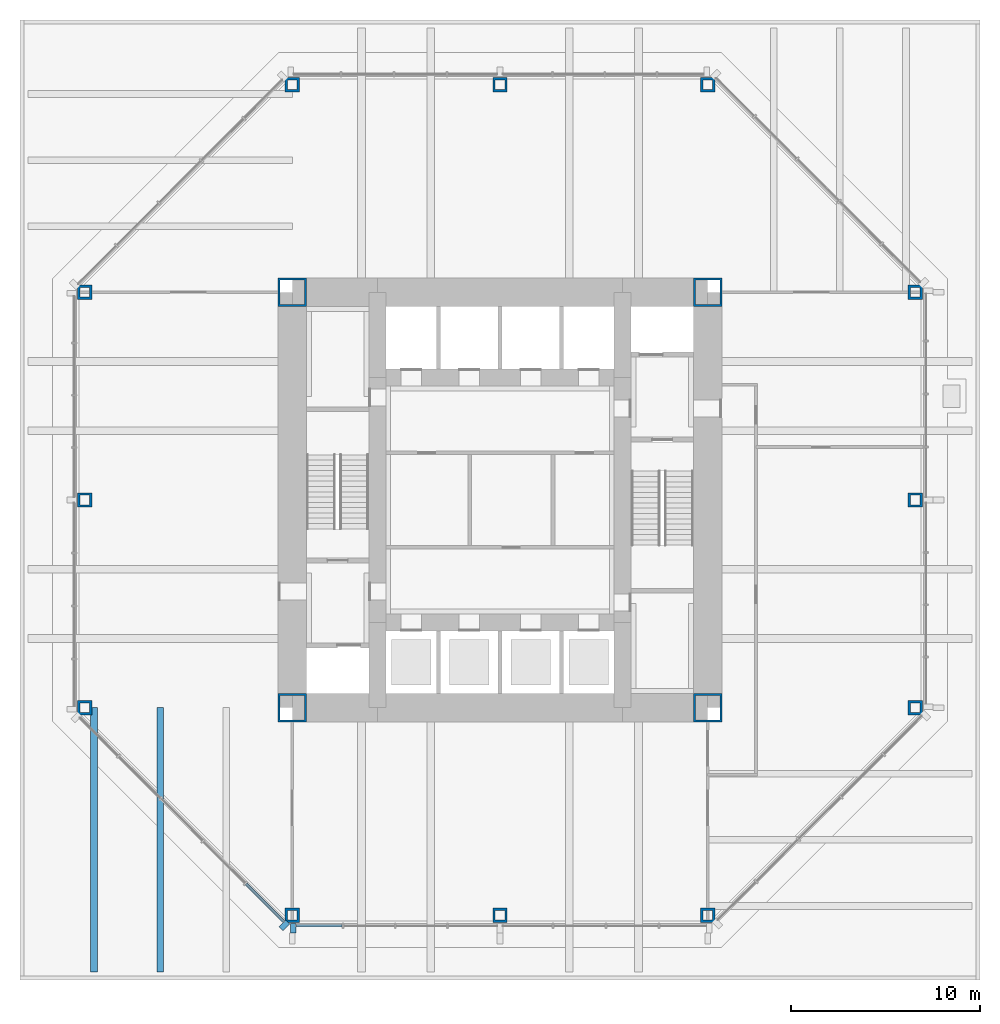
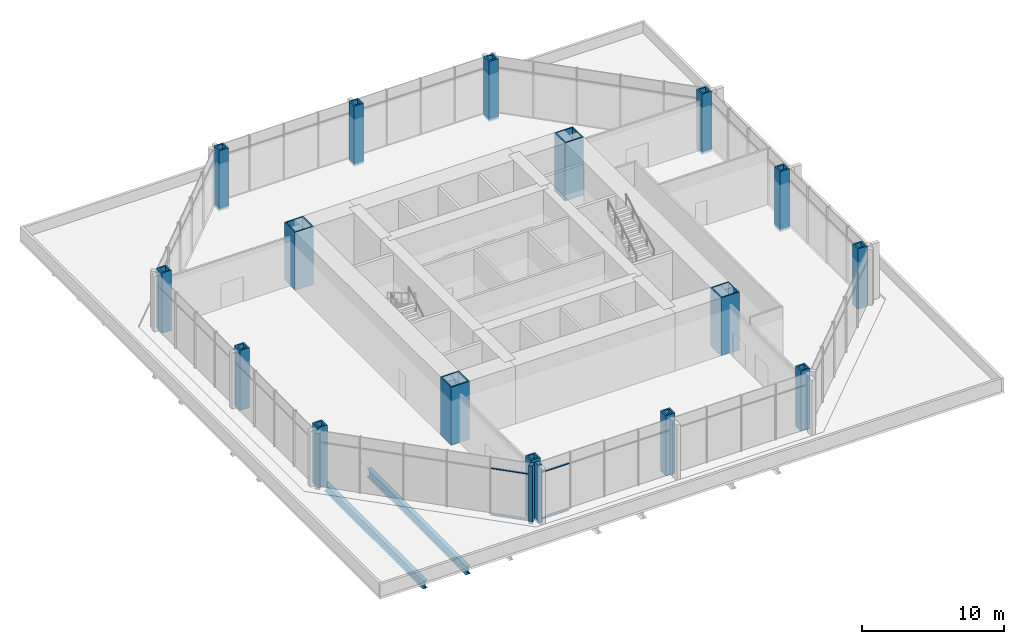
# One storey, part 1 of 11: 16 columns, 6 members, 2 beams, 2 elements without a shape of their own.
"""IFC4 building model written with IfcOpenShell, lengths in metres."""

from ifc_helpers import new_model, si_unit, direction, frame, origin, origin_2d, place, context, subcontext, project, spatial, rectangle, hollow_rectangle, i_section, extrude, material, material_profile, profile_set, type_object, element, aggregate, save


model = new_model("IFC4")

# Units and contexts
model_context = context("Model", 3, precision=1e-05, world=origin(), true_north=direction((0.0, 1.0)))
body_context = subcontext(model_context, "Body", "Model", "MODEL_VIEW")
ifc_project = project(units=[si_unit("LENGTHUNIT", "METRE"), si_unit("AREAUNIT", "SQUARE_METRE"), si_unit("VOLUMEUNIT", "CUBIC_METRE"), si_unit("PLANEANGLEUNIT", "RADIAN"), si_unit("MASSUNIT", "GRAM", prefix="KILO")], contexts=[model_context])

# Site, building, storey
site_placement = place(None, origin())
site = spatial("IfcSite", under=ifc_project, at=site_placement, CompositionType="ELEMENT")
building_placement = place(site_placement, origin())
building = spatial("IfcBuilding", under=site, at=building_placement, Name="Trevanion Tower", CompositionType="ELEMENT")
storey_placement = place(building_placement, frame((0.0, 0.0, 95.800048828125)))
storey = spatial("IfcBuildingStorey", under=building, at=storey_placement, Name="L22", CompositionType="ELEMENT", Elevation=95.800048828125)

# Columns
ifc_material_1 = material(Name="Steel ASTM A588 Grade 50", Category="steel")
ifc_material_profile_1 = material_profile(ifc_material_1, hollow_rectangle(XDim=0.761962890625, YDim=0.761962890625, WallThickness=0.126953125, at=origin_2d()), Name="BOX30X30X5")
ifc_profile_set_1 = profile_set([ifc_material_profile_1], Name="Steel ASTM A588 Grade 50")
column_type_1 = type_object("IfcColumnType", Name="C4 BOX30X30X5", PredefinedType="COLUMN", material=ifc_profile_set_1)
for number, where, z_axis, x_axis, name in (
    (1, (-22.0, 0.0, -0.18994140625), (0.0, 0.0, 1.0), (0.0, 1.0, 0.0), "C4 4/H L22"),
    (2, (-22.0, -11.0, -0.18994140625), (0.0, 0.0, 1.0), (0.0, 1.0, 0.0), "C4 4/F L22"),
    (3, (-11.0, -22.0, -0.18994140625), (0.0, 0.0, 1.0), (1.0, 0.0, 0.0), "C4 8/B L22"),
    (4, (0.0, -22.0, -0.18994140625), (0.0, 0.0, 1.0), (1.0, 0.0, 0.0), "C4 10/B L22"),
    (5, (11.0, -22.0, -0.18994140625), (0.0, 0.0, 1.0), (1.0, 0.0, 0.0), "C4 12/B L22"),
    (6, (22.0, -11.0, -0.18994140625), (0.0, 0.0, 1.0), (0.0, 1.0, 0.0), "C4 16/F L22"),
    (7, (22.0, 0.0, -0.18994140625), (0.0, 0.0, 1.0), (0.0, 1.0, 0.0), "C4 16/H L22"),
    (8, (22.0, 11.0, -0.18994140625), (0.0, 0.0, 1.0), (0.0, 1.0, 0.0), "C4 16/K L22"),
    (9, (11.0, 22.0, -0.18994140625), (0.0, 0.0, 1.0), (1.0, 0.0, 0.0), "C4 12/P L22"),
    (10, (0.0, 22.0, -0.18994140625), (0.0, 0.0, 1.0), (1.0, 0.0, 0.0), "C4 10/P L22"),
    (11, (-11.0, 22.0, -0.18994140625), (0.0, 0.0, 1.0), (1.0, 0.0, 0.0), "C4 8/P L22"),
    (12, (-22.0, 11.0, -0.18994140625), (0.0, 0.0, 1.0), (0.0, 1.0, 0.0), "C4 4/K L22"),
):
    element("IfcColumn", number, at=place(storey_placement, frame(where, z_axis=z_axis, x_axis=x_axis)), inside=storey, type_object=column_type_1, Name=name, PredefinedType="COLUMN", context=body_context, shape_type="SweptSolid", body=[
        extrude(hollow_rectangle(XDim=0.761962890625, YDim=0.761962890625, WallThickness=0.126953125, at=origin_2d()), origin(), (0.0, 0.0, 1.0), 5.18994140625),
    ])
ifc_material_2 = material(Name="Steel ASTM A572 Grade 50", Category="steel")
ifc_material_profile_2 = material_profile(ifc_material_2, hollow_rectangle(XDim=1.49853515625, YDim=1.49853515625, WallThickness=0.1015625, at=origin_2d()), Name="BOX59X59X4")
ifc_profile_set_2 = profile_set([ifc_material_profile_2], Name="Steel ASTM A572 Grade 50")
column_type_2 = type_object("IfcColumnType", Name="CB1 BOX59X59X4", PredefinedType="COLUMN", material=ifc_profile_set_2)
for number, where, z_axis, x_axis, name in (
    (13, (11.0, 11.0, 0.0), (0.0, 0.0, 1.0), (1.0, 0.0, 0.0), "CB1 NE L22"),
    (14, (-11.0, 11.0, 0.0), (0.0, 0.0, 1.0), (1.0, 0.0, 0.0), "CB1 NW L22"),
    (15, (-11.0, -11.0, 0.0), (0.0, 0.0, 1.0), (1.0, 0.0, 0.0), "CB1 SW L22"),
    (16, (11.0, -11.0, 0.0), (0.0, 0.0, 1.0), (1.0, 0.0, 0.0), "CB1 SE L22"),
):
    element("IfcColumn", number, at=place(storey_placement, frame(where, z_axis=z_axis, x_axis=x_axis)), inside=storey, type_object=column_type_2, Name=name, PredefinedType="COLUMN", context=body_context, shape_type="SweptSolid", body=[
        extrude(hollow_rectangle(XDim=1.49853515625, YDim=1.49853515625, WallThickness=0.1015625, at=origin_2d()), origin(), (0.0, 0.0, 1.0), 5.0),
    ])

# Beams
ifc_material_3 = material(Name="Steel ASTM A992 Grade 50", Category="steel")
ifc_material_profile_3 = material_profile(ifc_material_3, i_section(OverallWidth=0.355712890625, OverallDepth=0.696044921875, WebThickness=0.015380859375, FlangeThickness=0.024658203125, at=origin_2d()), Name="W27X146")
ifc_profile_set_3 = profile_set([ifc_material_profile_3], Name="Steel ASTM A992 Grade 50")
beam_type = type_object("IfcBeamType", Name="B6 W27X146", PredefinedType="BEAM", material=ifc_profile_set_3)
for number, where, z_axis, x_axis, name in (
    (17, (-18.0, -11.0, -0.5380859375), (0.0, -1.0, 0.0), (1.0, 0.0, 0.0), "B6 L22"),
    (18, (-21.5, -11.0, -0.5380859375), (0.0, -1.0, 0.0), (1.0, 0.0, 0.0), "B6 L22"),
):
    element("IfcBeam", number, at=place(storey_placement, frame(where, z_axis=z_axis, x_axis=x_axis)), inside=storey, type_object=beam_type, Name=name, PredefinedType="BEAM", context=body_context, shape_type="SweptSolid", body=[
        extrude(i_section(OverallWidth=0.355712890625, OverallDepth=0.696044921875, WebThickness=0.015380859375, FlangeThickness=0.024658203125, at=origin_2d()), origin(), (0.0, 0.0, 1.0), 14.0),
    ])

# Curtain wall, member
ifc_material_4 = material(Name="Aluminium and glass", Category="aluminium")
curtain_wall_type = type_object("IfcCurtainWallType", Name="CW2 curtain wall", PredefinedType="USERDEFINED", material=ifc_material_4)
curtain_wall_1_placement = place(storey_placement, origin())
curtain_wall_1 = element("IfcCurtainWall", 19, at=curtain_wall_1_placement, inside=storey, type_object=curtain_wall_type, Name="CW2 L22 5", ObjectType="UNITISED CURTAIN WALL", PredefinedType="USERDEFINED")
ifc_material_5 = material(Name="Aluminium extrusion, anodised bronze", Category="aluminium")
ifc_material_profile_4 = material_profile(ifc_material_5, rectangle(XDim=0.300048828125, YDim=0.5, at=origin_2d()), Name="CW2 pier mullion")
ifc_profile_set_4 = profile_set([ifc_material_profile_4], Name="Aluminium extrusion, anodised bronze")
member_type_1 = type_object("IfcMemberType", Name="CW2 pier mullion", PredefinedType="MULLION", material=ifc_profile_set_4)
member_1_placement = place(storey_placement, frame((-11.42236328125, -22.5322265625, -0.18994140625), z_axis=(0.0, 0.0, 1.0), x_axis=(0.707106781187, -0.707106781187, 0.0)))
member_1 = element("IfcMember", 20, at=member_1_placement, type_object=member_type_1, Name="CW2 pier mullion 6", PredefinedType="MULLION", context=body_context, shape_type="SweptSolid", body=[
    extrude(rectangle(XDim=0.300048828125, YDim=0.5, at=origin_2d()), origin(), (0.0, 0.0, 1.0), 5.0),
])

curtain_wall_2_placement = place(storey_placement, origin())
curtain_wall_2 = element("IfcCurtainWall", 21, at=curtain_wall_2_placement, inside=storey, type_object=curtain_wall_type, Name="CW2 L22 6", ObjectType="UNITISED CURTAIN WALL", PredefinedType="USERDEFINED")
member_2_placement = place(storey_placement, frame((-10.94775390625, -22.675048828125, -0.18994140625), z_axis=(0.0, 0.0, 1.0), x_axis=(1.0, 0.0, 0.0)))
member_2 = element("IfcMember", 22, at=member_2_placement, type_object=member_type_1, Name="CW2 pier mullion 1", PredefinedType="MULLION", context=body_context, shape_type="SweptSolid", body=[
    extrude(rectangle(XDim=0.300048828125, YDim=0.5, at=origin_2d()), origin(), (0.0, 0.0, 1.0), 5.0),
])

# Member
ifc_material_6 = material(Name="Aluminium extrusion, anodised bronze", Category="aluminium")
ifc_material_profile_5 = material_profile(ifc_material_6, rectangle(XDim=0.14990234375, YDim=0.074951171875, at=origin_2d()), Name="CW2 transom")
ifc_profile_set_5 = profile_set([ifc_material_profile_5], Name="Aluminium extrusion, anodised bronze")
member_type_2 = type_object("IfcMemberType", Name="CW2 transom", PredefinedType="USERDEFINED", material=ifc_profile_set_5)
member_3_placement = place(storey_placement, frame((-13.447509765625, -20.33056640625, -0.152587890625), z_axis=(0.707149778163, -0.707063781595, 0.0), x_axis=(0.707063781595, 0.707149778163, 0.0)))
member_3 = element("IfcMember", 23, at=member_3_placement, type_object=member_type_2, Name="CW2 transom 5.1", ObjectType="TRANSOM", PredefinedType="USERDEFINED", context=body_context, shape_type="SweptSolid", body=[
    extrude(rectangle(XDim=0.14990234375, YDim=0.074951171875, at=origin_2d()), origin(), (0.0, 0.0, 1.0), 2.8388671875),
])

member_4_placement = place(storey_placement, frame((-13.447509765625, -20.33056640625, 3.85986328125), z_axis=(0.707149778163, -0.707063781595, 0.0), x_axis=(0.707063781595, 0.707149778163, 0.0)))
member_4 = element("IfcMember", 24, at=member_4_placement, type_object=member_type_2, Name="CW2 transom 5.2", ObjectType="TRANSOM", PredefinedType="USERDEFINED", context=body_context, shape_type="SweptSolid", body=[
    extrude(rectangle(XDim=0.14990234375, YDim=0.074951171875, at=origin_2d()), origin(), (0.0, 0.0, 1.0), 2.8388671875),
])

aggregate(curtain_wall_1, [member_1, member_3, member_4])

member_5_placement = place(storey_placement, frame((-10.7978515625, -22.550048828125, -0.152587890625), z_axis=(1.0, 0.0, 0.0), x_axis=(0.0, 1.0, 0.0)))
member_5 = element("IfcMember", 25, at=member_5_placement, type_object=member_type_2, Name="CW2 transom 1.1", ObjectType="TRANSOM", PredefinedType="USERDEFINED", context=body_context, shape_type="SweptSolid", body=[
    extrude(rectangle(XDim=0.14990234375, YDim=0.074951171875, at=origin_2d()), origin(), (0.0, 0.0, 1.0), 2.43701171875),
])

member_6_placement = place(storey_placement, frame((-10.7978515625, -22.550048828125, 3.85986328125), z_axis=(1.0, 0.0, 0.0), x_axis=(0.0, 1.0, 0.0)))
member_6 = element("IfcMember", 26, at=member_6_placement, type_object=member_type_2, Name="CW2 transom 1.2", ObjectType="TRANSOM", PredefinedType="USERDEFINED", context=body_context, shape_type="SweptSolid", body=[
    extrude(rectangle(XDim=0.14990234375, YDim=0.074951171875, at=origin_2d()), origin(), (0.0, 0.0, 1.0), 2.43701171875),
])

aggregate(curtain_wall_2, [member_2, member_5, member_6])

save(model, "model.ifc")
